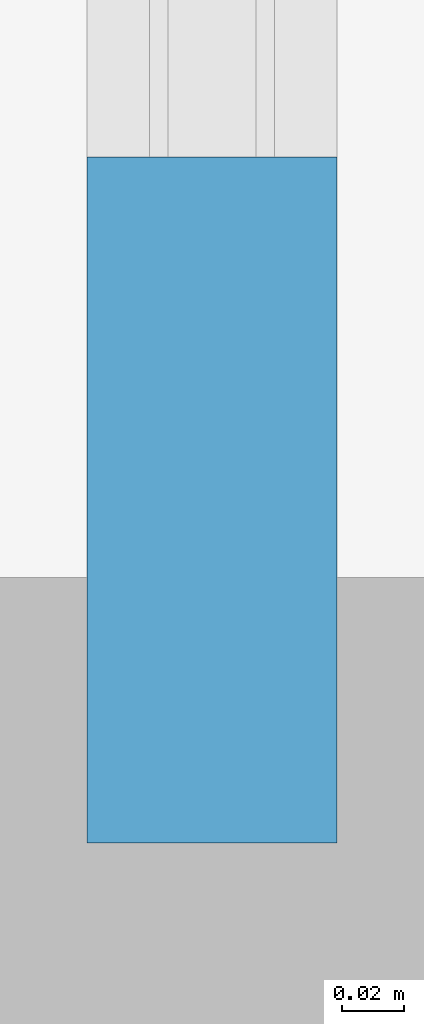
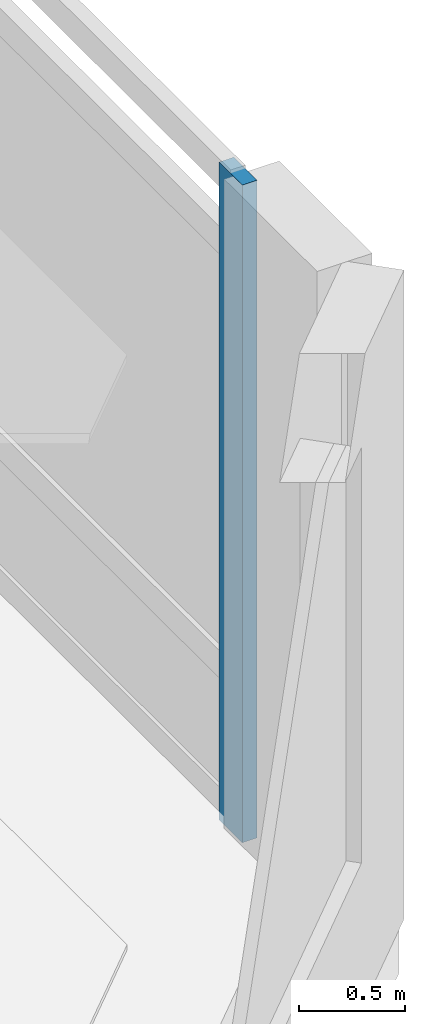
# One storey, part 3 of 11: 1 member, 1 element without a shape of its own.
"""IFC4 building model written with IfcOpenShell, lengths in metres."""

from ifc_helpers import new_model, si_unit, direction, frame, origin, origin_2d, place, context, subcontext, project, spatial, rectangle, extrude, source, transform, mapped, material, material_profile, profile_set, type_object, element, aggregate, save


model = new_model("IFC4")

# Units and contexts
model_context = context("Model", 3, precision=1e-05, world=origin(), true_north=direction((0.0, 1.0)))
body_context = subcontext(model_context, "Body", "Model", "MODEL_VIEW")
ifc_project = project(units=[si_unit("LENGTHUNIT", "METRE"), si_unit("AREAUNIT", "SQUARE_METRE"), si_unit("VOLUMEUNIT", "CUBIC_METRE"), si_unit("PLANEANGLEUNIT", "RADIAN"), si_unit("MASSUNIT", "GRAM", prefix="KILO")], contexts=[model_context])

# Site, building, storey
site_placement = place(None, origin())
site = spatial("IfcSite", under=ifc_project, at=site_placement, CompositionType="ELEMENT")
building_placement = place(site_placement, origin())
building = spatial("IfcBuilding", under=site, at=building_placement, Name="Calvemar Wedge Station Tower", CompositionType="ELEMENT")
storey_placement = place(building_placement, frame((0.0, 0.0, 47.0)))
storey = spatial("IfcBuildingStorey", under=building, at=storey_placement, Name="L11", CompositionType="ELEMENT", Elevation=47.0)

# Curtain wall, member
ifc_material = material(Name="Anodised aluminium 6063-T6", Category="aluminium")
curtain_wall_type = type_object("IfcCurtainWallType", Name="CW1", PredefinedType="NOTDEFINED", material=ifc_material)
curtain_wall_placement = place(storey_placement, origin())
curtain_wall = element("IfcCurtainWall", 1, at=curtain_wall_placement, inside=storey, type_object=curtain_wall_type, Name="Storey L11 CW1 Recessed Unitised Curtain Wall 8", PredefinedType="NOTDEFINED")
ifc_material_profile = material_profile(ifc_material, rectangle(XDim=0.080078125, YDim=0.219970703125, at=origin_2d()), Name="AL-MUL-80x220")
ifc_profile_set = profile_set([ifc_material_profile], Name="Anodised aluminium 6063-T6")
member_type = type_object("IfcMemberType", Name="CW1-MUL", PredefinedType="MULLION", material=ifc_profile_set)
shared_shape = source(origin(), body_context, "Body", "SweptSolid", [
    extrude(rectangle(XDim=0.080078125, YDim=0.219970703125, at=origin_2d()), origin(), (0.0, 0.0, 1.0), 3.800048828125),
])
member_placement = place(storey_placement, frame((60.7900390625, 33.6220703125, -0.050048828125), z_axis=(0.0, 0.0, 1.0), x_axis=(1.0, 0.0, 0.0)))
member = element("IfcMember", 2, at=member_placement, type_object=member_type, Name="CW1 mullion 1", PredefinedType="MULLION", context=body_context, shape_type="MappedRepresentation", body=[
    mapped(shared_shape, transform((0.0, 0.0, 0.0), scale=1.0)),
])
aggregate(curtain_wall, [member])

save(model, "model.ifc")
